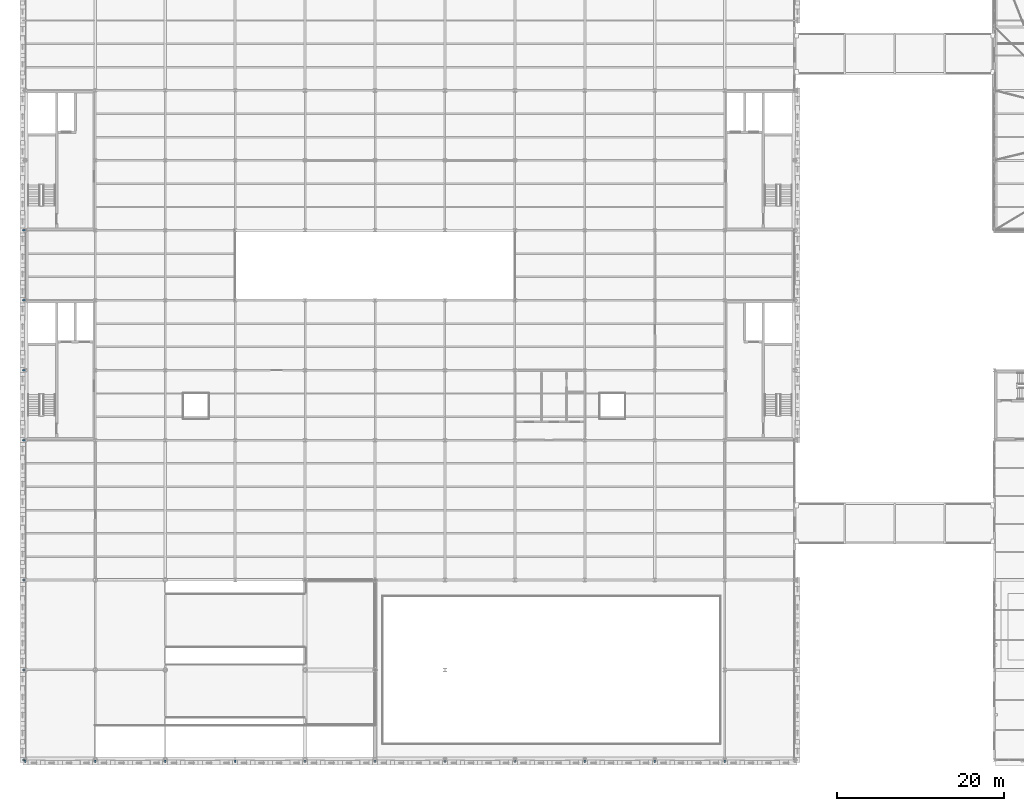
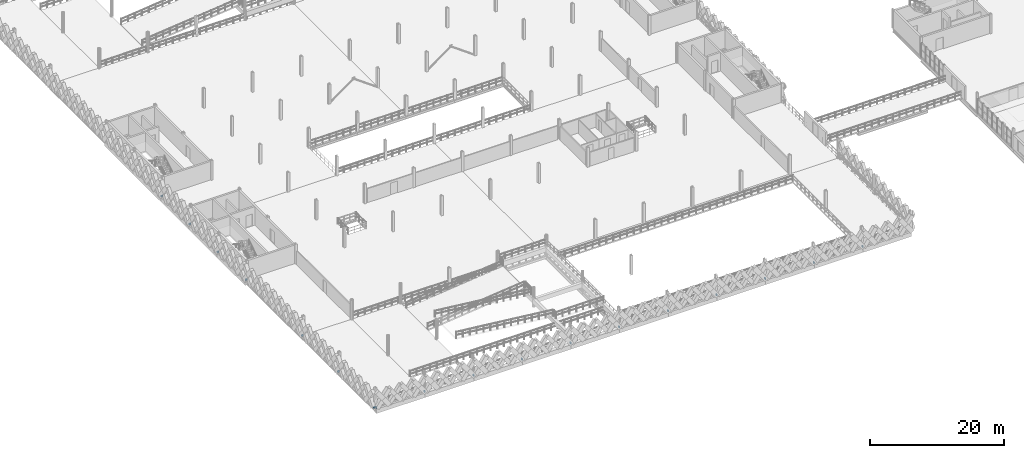
# One storey, part 62 of 101: 18 members.
"""IFC4 building model written with IfcOpenShell, lengths in metres."""

from ifc_helpers import new_model, si_unit, direction, frame, origin, origin_2d, place, context, subcontext, project, spatial, hollow_rectangle, extrude, material, material_profile, profile_set, type_object, element, save


model = new_model("IFC4")

# Units and contexts
model_context = context("Model", 3, precision=1e-05, world=origin(), true_north=direction((0.0, 1.0)))
body_context = subcontext(model_context, "Body", "Model", "MODEL_VIEW")
ifc_project = project(units=[si_unit("LENGTHUNIT", "METRE"), si_unit("AREAUNIT", "SQUARE_METRE"), si_unit("VOLUMEUNIT", "CUBIC_METRE"), si_unit("PLANEANGLEUNIT", "RADIAN"), si_unit("MASSUNIT", "GRAM", prefix="KILO"), si_unit("THERMODYNAMICTEMPERATUREUNIT", "KELVIN"), si_unit("POWERUNIT", "WATT")], contexts=[model_context])

# Site, building, storey
site_placement = place(None, origin())
site = spatial("IfcSite", under=ifc_project, at=site_placement, CompositionType="ELEMENT")
building_placement = place(site_placement, origin())
building = spatial("IfcBuilding", under=site, at=building_placement, Name="Tembeka Court Mobility Hub", CompositionType="ELEMENT")
storey_placement = place(building_placement, frame((0.0, 0.0, 5.39990234375)))
storey = spatial("IfcBuildingStorey", under=building, at=storey_placement, Name="L01", CompositionType="ELEMENT", Elevation=5.39990234375)

# Members
ifc_material = material(Name="Steel S355", Category="steel")
ifc_material_profile = material_profile(ifc_material, hollow_rectangle(XDim=0.14990234375, YDim=0.300048828125, WallThickness=0.010009765625, at=origin_2d()), Name="RHS 300x150x10")
ifc_profile_set = profile_set([ifc_material_profile], Name="Steel S355")
member_type = type_object("IfcMemberType", Name="MEM-ST03", PredefinedType="STRUT", material=ifc_profile_set)
for number, where, z_axis, x_axis, name in (
    (1, (0.0, 0.0, 0.02001953125), (0.0, -1.0, 0.0), (1.0, 0.0, 0.0), "Lattice outrigger tie SR03 (L01-Y-0)"),
    (2, (8.39990234375, 0.0, 0.02001953125), (0.0, -1.0, 0.0), (1.0, 0.0, 0.0), "Lattice outrigger tie SR03 (L01-Y-8)"),
    (3, (16.800048828125, 0.0, 0.02001953125), (0.0, -1.0, 0.0), (1.0, 0.0, 0.0), "Lattice outrigger tie SR03 (L01-Y-16)"),
    (4, (25.199951171875, 0.0, 0.02001953125), (0.0, -1.0, 0.0), (1.0, 0.0, 0.0), "Lattice outrigger tie SR03 (L01-Y-25)"),
    (5, (33.60009765625, 0.0, 0.02001953125), (0.0, -1.0, 0.0), (1.0, 0.0, 0.0), "Lattice outrigger tie SR03 (L01-Y-33)"),
    (6, (42.0, 0.0, 0.02001953125), (0.0, -1.0, 0.0), (1.0, 0.0, 0.0), "Lattice outrigger tie SR03 (L01-Y-42)"),
    (7, (50.39990234375, 0.0, 0.02001953125), (0.0, -1.0, 0.0), (1.0, 0.0, 0.0), "Lattice outrigger tie SR03 (L01-Y-50)"),
    (8, (58.800048828125, 0.0, 0.02001953125), (0.0, -1.0, 0.0), (1.0, 0.0, 0.0), "Lattice outrigger tie SR03 (L01-Y-58)"),
    (9, (67.199951171875, 0.0, 0.02001953125), (0.0, -1.0, 0.0), (1.0, 0.0, 0.0), "Lattice outrigger tie SR03 (L01-Y-67)"),
    (10, (75.60009765625, 0.0, 0.02001953125), (0.0, -1.0, 0.0), (1.0, 0.0, 0.0), "Lattice outrigger tie SR03 (L01-Y-75)"),
    (11, (84.0, 0.0, 0.02001953125), (0.0, -1.0, 0.0), (1.0, 0.0, 0.0), "Lattice outrigger tie SR03 (L01-Y-84)"),
    (12, (0.0, 0.0, 0.02001953125), (-1.0, 0.0, 0.0), (0.0, -1.0, 0.0), "Lattice outrigger tie SR03 (L01-X-0)"),
    (13, (0.0, 10.800048828125, 0.02001953125), (-1.0, 0.0, 0.0), (0.0, -1.0, 0.0), "Lattice outrigger tie SR03 (L01-X-10)"),
    (14, (0.0, 21.60009765625, 0.02001953125), (-1.0, 0.0, 0.0), (0.0, -1.0, 0.0), "Lattice outrigger tie SR03 (L01-X-21)"),
    (15, (0.0, 38.39990234375, 0.02001953125), (-1.0, 0.0, 0.0), (0.0, -1.0, 0.0), "Lattice outrigger tie SR03 (L01-X-38)"),
    (16, (0.0, 46.800048828125, 0.02001953125), (-1.0, 0.0, 0.0), (0.0, -1.0, 0.0), "Lattice outrigger tie SR03 (L01-X-46)"),
    (17, (0.0, 55.199951171875, 0.02001953125), (-1.0, 0.0, 0.0), (0.0, -1.0, 0.0), "Lattice outrigger tie SR03 (L01-X-55)"),
    (18, (0.0, 63.60009765625, 0.02001953125), (-1.0, 0.0, 0.0), (0.0, -1.0, 0.0), "Lattice outrigger tie SR03 (L01-X-63)"),
):
    element("IfcMember", number, at=place(storey_placement, frame(where, z_axis=z_axis, x_axis=x_axis)), inside=storey, type_object=member_type, Name=name, PredefinedType="STRUT", context=body_context, shape_type="SweptSolid", body=[
        extrude(hollow_rectangle(XDim=0.14990234375, YDim=0.300048828125, WallThickness=0.010009765625, at=origin_2d()), origin(), (0.0, 0.0, 1.0), 0.340087890625),
    ])

save(model, "model.ifc")
